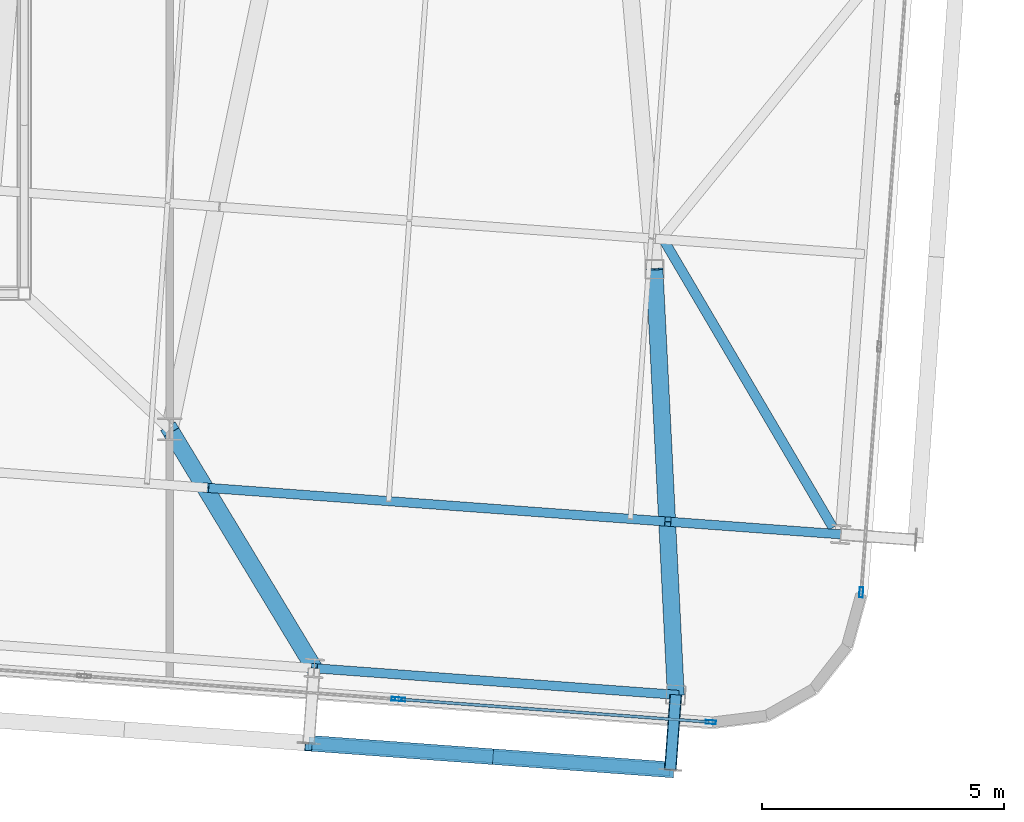
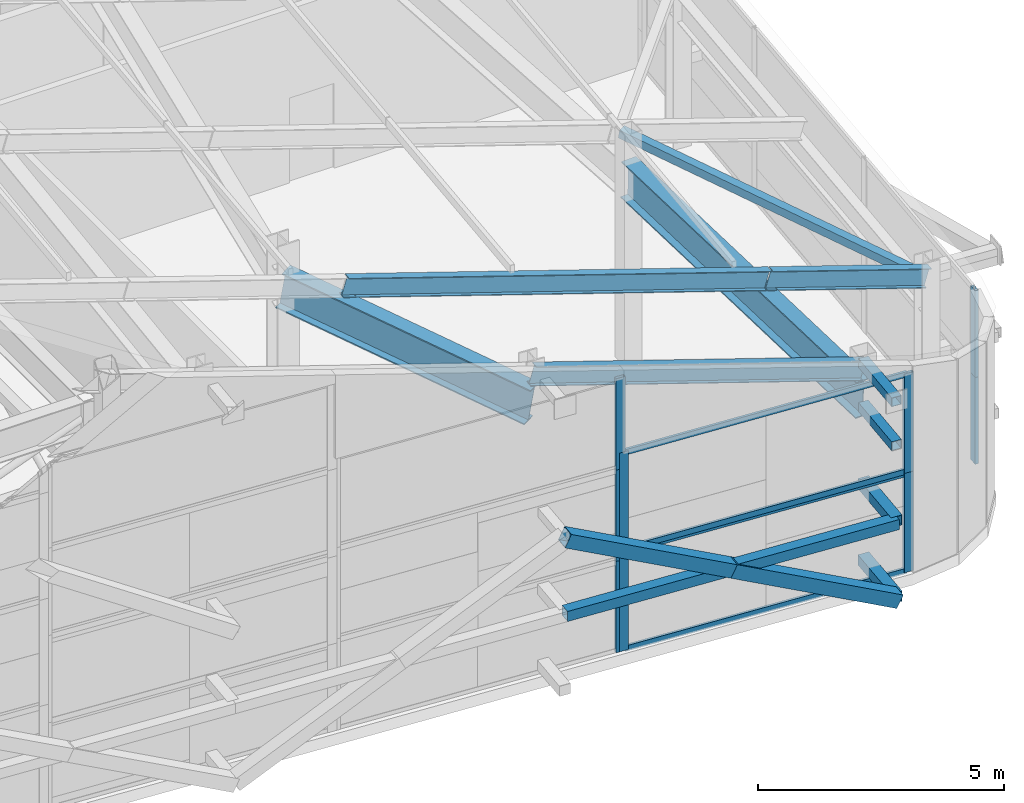
# One storey, part 20 of 56: 23 members, 3 beams, 7 elements without a shape of their own.
"""IFC4 building model written with IfcOpenShell, lengths in metres."""

from ifc_helpers import new_model, si_unit, direction, frame, origin, origin_2d, place, context, subcontext, project, spatial, hollow_rectangle, i_section, extrude, source, transform, mapped, material, layer, layer_set, material_profile, profile_set, type_object, element, aggregate, save


model = new_model("IFC4")

# Units and contexts
model_context = context("Model", 3, precision=1e-05, world=origin(), true_north=direction((0.0, 1.0)))
body_context = subcontext(model_context, "Body", "Model", "MODEL_VIEW")
ifc_project = project(units=[si_unit("LENGTHUNIT", "METRE"), si_unit("AREAUNIT", "SQUARE_METRE"), si_unit("VOLUMEUNIT", "CUBIC_METRE"), si_unit("PLANEANGLEUNIT", "RADIAN"), si_unit("MASSUNIT", "GRAM", prefix="KILO")], contexts=[model_context])

# Site, building, storey
site_placement = place(None, origin())
site = spatial("IfcSite", under=ifc_project, at=site_placement, CompositionType="ELEMENT")
building_placement = place(site_placement, origin())
building = spatial("IfcBuilding", under=site, at=building_placement, Name="Taldren Reach Tower", CompositionType="ELEMENT")
storey_placement = place(building_placement, frame((0.0, 0.0, 253.050048828125)))
storey = spatial("IfcBuildingStorey", under=building, at=storey_placement, Name="L77", CompositionType="ELEMENT", Elevation=253.050048828125)

# Members
ifc_material_1 = material(Name="Steel Gr 350 (C350L0)", Category="steel")
ifc_material_profile_1 = material_profile(ifc_material_1, hollow_rectangle(XDim=0.25, YDim=0.25, WallThickness=0.010009765625, at=origin_2d()), Name="250x250x10.0SHS")
ifc_profile_set_1 = profile_set([ifc_material_profile_1], Name="Steel Gr 350 (C350L0)")
member_type_1 = type_object("IfcMemberType", Name="MB-POST250", PredefinedType="POST", material=ifc_profile_set_1)
shared_shape_1 = source(origin(), body_context, "Body", "SweptSolid", [
    extrude(hollow_rectangle(XDim=0.25, YDim=0.25, WallThickness=0.010009765625, at=origin_2d()), origin(), (0.0, 0.0, 1.0), 1.550048828125),
])
for number, where, z_axis, x_axis, name in (
    (1, (52.440185546875, 3.72119140625, 0.219970703125), (-0.07323929162, -0.997314396849, 0.0), (0.997314396849, -0.07323929162, 0.0), "Exoskeleton base diaphragm tie strut B5-S6 L77"),
    (2, (52.440185546875, 3.72119140625, 2.10986328125), (-0.07323929162, -0.997314396849, 0.0), (0.997314396849, -0.07323929162, 0.0), "Exoskeleton mid-tier diaphragm tie B5-S6 L77"),
):
    element("IfcMember", number, at=place(storey_placement, frame(where, z_axis=z_axis, x_axis=x_axis)), inside=storey, type_object=member_type_1, Name=name, PredefinedType="POST", context=body_context, shape_type="MappedRepresentation", body=[
        mapped(shared_shape_1, transform((0.0, 0.0, 0.0), scale=1.0)),
    ])
ifc_material_2 = material(Name="Steel Gr 450 (C450L0)", Category="steel")
ifc_material_profile_2 = material_profile(ifc_material_2, hollow_rectangle(XDim=0.219970703125, YDim=0.219970703125, WallThickness=0.00830078125, at=origin_2d()), Name="220x220x8.2SHS")
ifc_profile_set_2 = profile_set([ifc_material_profile_2], Name="Steel Gr 450 (C450L0)")
member_type_2 = type_object("IfcMemberType", Name="MB-TIE219", PredefinedType="STRUT", material=ifc_profile_set_2)
shared_shape_2 = source(origin(), body_context, "Body", "SweptSolid", [
    extrude(hollow_rectangle(XDim=0.219970703125, YDim=0.219970703125, WallThickness=0.00830078125, at=origin_2d()), origin(), (0.0, 0.0, 1.0), 1.550048828125),
])
for number, where, z_axis, x_axis, name in (
    (3, (52.440185546875, 3.72119140625, 5.08935546875), (-0.07323929162, -0.997314396849, 0.0), (0.997314396849, -0.07323929162, 0.0), "Exoskeleton diaphragm tie strut B5-S6 L77"),
    (4, (52.440185546875, 3.72119140625, 4.0), (-0.07323929162, -0.997314396849, 0.0), (0.997314396849, -0.07323929162, 0.0), "Crown exoskeleton mid-tier tie strut B5-S6"),
):
    element("IfcMember", number, at=place(storey_placement, frame(where, z_axis=z_axis, x_axis=x_axis)), inside=storey, type_object=member_type_2, Name=name, PredefinedType="STRUT", context=body_context, shape_type="MappedRepresentation", body=[
        mapped(shared_shape_2, transform((0.0, 0.0, 0.0), scale=1.0)),
    ])
shared_shape_3 = source(origin(), body_context, "Body", "SweptSolid", [
    extrude(hollow_rectangle(XDim=0.25, YDim=0.25, WallThickness=0.010009765625, at=origin_2d()), origin(), (0.0, 0.0, 1.0), 7.47998046875),
])
member_1_placement = place(storey_placement, frame((44.86669921875, 2.72314453125, 2.10986328125), z_axis=(0.997314220642, -0.07324169103, 0.0), x_axis=(0.07324169103, 0.997314220642, 0.0)))
element("IfcMember", 5, at=member_1_placement, inside=storey, type_object=member_type_1, Name="Exoskeleton mid-height ring chord B5-S5 L77", PredefinedType="POST", context=body_context, shape_type="MappedRepresentation", body=[
    mapped(shared_shape_3, transform((0.0, 0.0, 0.0), scale=1.0)),
])

# Beams
ifc_material_3 = material(Name="Steel Gr 350 (350PLUS)", Category="steel")
ifc_material_profile_3 = material_profile(ifc_material_3, i_section(OverallWidth=0.35009765625, OverallDepth=0.916015625, WebThickness=0.013916015625, FlangeThickness=0.028076171875, at=origin_2d()), Name="900WB257")
ifc_profile_set_3 = profile_set([ifc_material_profile_3], Name="Steel Gr 350 (350PLUS)")
beam_type_1 = type_object("IfcBeamType", Name="BM-WB900", PredefinedType="BEAM", material=ifc_profile_set_3)
shared_shape_4 = source(origin(), body_context, "Body", "SweptSolid", [
    extrude(i_section(OverallWidth=0.35009765625, OverallDepth=0.916015625, WebThickness=0.013916015625, FlangeThickness=0.028076171875, at=origin_2d()), origin(), (0.0, 0.0, 1.0), 5.84033203125),
])
beam_1_placement = place(storey_placement, frame((44.980224609375, 4.26904296875, 6.33203125), z_axis=(-0.510289230613, 0.844295206905, 0.163616945082), x_axis=(-0.855828396922, -0.517259852514, 0.0)))
element("IfcBeam", 6, at=beam_1_placement, inside=storey, type_object=beam_type_1, Name="Crown transverse portal girder PF5-1", PredefinedType="BEAM", context=body_context, shape_type="MappedRepresentation", body=[
    mapped(shared_shape_4, transform((0.0, 0.0, 0.0), scale=1.0)),
])
shared_shape_5 = source(origin(), body_context, "Body", "SweptSolid", [
    extrude(i_section(OverallWidth=0.35009765625, OverallDepth=0.916015625, WebThickness=0.013916015625, FlangeThickness=0.028076171875, at=origin_2d()), origin(), (0.0, 0.0, 1.0), 8.79541015625),
])
beam_2_placement = place(storey_placement, frame((52.440185546875, 3.72119140625, 4.187744140625), z_axis=(-0.050047740768, 0.99812349558, 0.035280465067), x_axis=(-0.998745263836, -0.050078917367, 0.0)))
element("IfcBeam", 7, at=beam_2_placement, inside=storey, type_object=beam_type_1, Name="Crown transverse portal girder PF6-1", PredefinedType="BEAM", context=body_context, shape_type="MappedRepresentation", body=[
    mapped(shared_shape_5, transform((0.0, 0.0, 0.0), scale=1.0)),
])

# Members
ifc_material_profile_4 = material_profile(ifc_material_3, i_section(OverallWidth=0.19091796875, OverallDepth=0.4599609375, WebThickness=0.010009765625, FlangeThickness=0.01611328125, at=origin_2d()), Name="460UB82.1")
ifc_profile_set_4 = profile_set([ifc_material_profile_4], Name="Steel Gr 350 (350PLUS)")
member_type_3 = type_object("IfcMemberType", Name="MB-RAF460", PredefinedType="RAFTER", material=ifc_profile_set_4)
shared_shape_6 = source(origin(), body_context, "Body", "SweptSolid", [
    extrude(i_section(OverallWidth=0.19091796875, OverallDepth=0.4599609375, WebThickness=0.010009765625, FlangeThickness=0.01611328125, at=origin_2d()), origin(), (0.0, 0.0, 1.0), 3.71923828125),
])
member_2_placement = place(storey_placement, frame((55.841796875, 7.031005859375, 4.011962890625), z_axis=(-0.958703224999, 0.07036835722, 0.275565637696), x_axis=(-0.073202596473, -0.997317090934, 0.0)))
element("IfcMember", 8, at=member_2_placement, inside=storey, type_object=member_type_3, Name="Crown sloped rafter RF-1.1", PredefinedType="RAFTER", context=body_context, shape_type="MappedRepresentation", body=[
    mapped(shared_shape_6, transform((0.0, 0.0, 0.0), scale=1.0)),
])
shared_shape_7 = source(origin(), body_context, "Body", "SweptSolid", [
    extrude(i_section(OverallWidth=0.19091796875, OverallDepth=0.4599609375, WebThickness=0.010009765625, FlangeThickness=0.01611328125, at=origin_2d()), origin(), (0.0, 0.0, 1.0), 9.91162109375),
])
member_3_placement = place(storey_placement, frame((52.24609375, 7.294921875, 5.04541015625), z_axis=(-0.958696575914, 0.070397852418, 0.275581236128), x_axis=(-0.073233620319, -0.997314813314, 0.0)))
element("IfcMember", 9, at=member_3_placement, inside=storey, type_object=member_type_3, Name="Crown sloped rafter RF-1.2", PredefinedType="RAFTER", context=body_context, shape_type="MappedRepresentation", body=[
    mapped(shared_shape_7, transform((0.0, 0.0, 0.0), scale=1.0)),
])

# Beam
ifc_material_profile_5 = material_profile(ifc_material_3, i_section(OverallWidth=0.19091796875, OverallDepth=0.4599609375, WebThickness=0.010009765625, FlangeThickness=0.01611328125, at=origin_2d()), Name="460UB82.1")
ifc_profile_set_5 = profile_set([ifc_material_profile_5], Name="Steel Gr 350 (350PLUS)")
beam_type_2 = type_object("IfcBeamType", Name="BM-UB460A", PredefinedType="BEAM", material=ifc_profile_set_5)
shared_shape_8 = source(origin(), body_context, "Body", "SweptSolid", [
    extrude(i_section(OverallWidth=0.19091796875, OverallDepth=0.4599609375, WebThickness=0.010009765625, FlangeThickness=0.01611328125, at=origin_2d()), origin(), (0.0, 0.0, 1.0), 7.78125),
])
beam_3_placement = place(storey_placement, frame((44.980224609375, 4.26904296875, 7.059326171875), z_axis=(0.958699751976, -0.070405885699, -0.275568134625), x_axis=(0.07324169103, 0.997314220642, 0.0)))
element("IfcBeam", 10, at=beam_3_placement, inside=storey, type_object=beam_type_2, Name="Crown sloped perimeter rake girder S7", PredefinedType="BEAM", context=body_context, shape_type="MappedRepresentation", body=[
    mapped(shared_shape_8, transform((0.0, 0.0, 0.0), scale=1.0)),
])

# Members
ifc_material_profile_6 = material_profile(ifc_material_1, hollow_rectangle(XDim=0.199951171875, YDim=0.199951171875, WallThickness=0.009033203125, at=origin_2d()), Name="200x200x9.0SHS")
ifc_profile_set_6 = profile_set([ifc_material_profile_6], Name="Steel Gr 350 (C350L0)")
member_type_4 = type_object("IfcMemberType", Name="BR-ROOF-200", PredefinedType="BRACE", material=ifc_profile_set_6)
shared_shape_9 = source(origin(), body_context, "Body", "SweptSolid", [
    extrude(hollow_rectangle(XDim=0.199951171875, YDim=0.199951171875, WallThickness=0.009033203125, at=origin_2d()), origin(), (0.0, 0.0, 1.0), 6.96630859375),
])
member_4_placement = place(storey_placement, frame((55.672607421875, 7.18359375, 4.0634765625), z_axis=(-0.500416179463, 0.850696991405, 0.160929413551), x_axis=(-0.861931476706, -0.507024781902, 0.0)))
element("IfcMember", 11, at=member_4_placement, inside=storey, type_object=member_type_4, Name="Crown sloped roof wind brace RB-1", PredefinedType="BRACE", context=body_context, shape_type="MappedRepresentation", body=[
    mapped(shared_shape_9, transform((0.0, 0.0, 0.0), scale=1.0)),
])
ifc_material_profile_7 = material_profile(ifc_material_2, hollow_rectangle(XDim=0.324951171875, YDim=0.324951171875, WallThickness=0.0126953125, at=origin_2d()), Name="325x325x12.7SHS")
ifc_profile_set_7 = profile_set([ifc_material_profile_7], Name="Steel Gr 450 (C450L0)")
member_type_5 = type_object("IfcMemberType", Name="MB-BR324", PredefinedType="BRACE", material=ifc_profile_set_7)
shared_shape_10 = source(origin(), body_context, "Body", "SweptSolid", [
    extrude(hollow_rectangle(XDim=0.324951171875, YDim=0.324951171875, WallThickness=0.0126953125, at=origin_2d()), origin(), (0.0, 0.0, 1.0), 4.1904296875),
])
for number, where, z_axis, x_axis, name in (
    (12, (52.32666015625, 2.17529296875, 0.219970703125), (-0.890124363023, 0.065369782387, 0.451004889001), (-0.07324169103, -0.997314220642, 0.0), "Exoskeleton Diagrid Brace B5-S5 L77"),
    (13, (48.5966796875, 2.44921875, 2.10986328125), (-0.890100973194, 0.065368064663, 0.451051298237), (-0.07324169103, -0.997314220642, 0.0), "Exoskeleton Diagrid Brace B5-S5 L77"),
):
    element("IfcMember", number, at=place(storey_placement, frame(where, z_axis=z_axis, x_axis=x_axis)), inside=storey, type_object=member_type_5, Name=name, PredefinedType="BRACE", context=body_context, shape_type="MappedRepresentation", body=[
        mapped(shared_shape_10, transform((0.0, 0.0, 0.0), scale=1.0)),
    ])

# Curtain wall, member
ifc_material_4 = material(Name="Aluminium and Low-E Glass Unitised System", Category="aluminium")
ifc_layer = layer(ifc_material_4, 0.159912109375)
ifc_layer_set = layer_set([ifc_layer], Name="Aluminium and Low-E Glass Unitised System")
curtain_wall_type = type_object("IfcCurtainWallType", Name="CW-SYS-8", PredefinedType="NOTDEFINED", material=ifc_layer_set)
curtain_wall_1_placement = place(storey_placement, origin())
curtain_wall_1 = element("IfcCurtainWall", 14, at=curtain_wall_1_placement, inside=storey, type_object=curtain_wall_type, Name="Unitised curtain wall CW8-L77-E", PredefinedType="NOTDEFINED")
ifc_material_5 = material(Name="Anodised Aluminium 6063-T6", Category="aluminium")
ifc_material_profile_8 = material_profile(ifc_material_5, hollow_rectangle(XDim=0.074951171875, YDim=0.2099609375, WallThickness=0.00439453125, at=origin_2d()), Name="ALU-210x75x4.5RHS")
ifc_profile_set_8 = profile_set([ifc_material_profile_8], Name="Anodised Aluminium 6063-T6")
member_type_6 = type_object("IfcMemberType", Name="CW-MUL-200", PredefinedType="MULLION", material=ifc_profile_set_8)
shared_shape_11 = source(origin(), body_context, "Body", "SweptSolid", [
    extrude(hollow_rectangle(XDim=0.074951171875, YDim=0.2099609375, WallThickness=0.00439453125, at=origin_2d()), origin(), (0.0, 0.0, 1.0), 2.152587890625),
])
member_5_placement = place(storey_placement, frame((56.26513671875, 5.834228515625, 0.0), z_axis=(0.0, 0.0, 1.0), x_axis=(-0.997314470951, 0.073238282558, 0.0)))
member_5 = element("IfcMember", 15, at=member_5_placement, type_object=member_type_6, Name="CW-8 mullion 1", PredefinedType="MULLION", context=body_context, shape_type="MappedRepresentation", body=[
    mapped(shared_shape_11, transform((0.0, 0.0, 0.0), scale=1.0)),
])
aggregate(curtain_wall_1, [member_5])

curtain_wall_2_placement = place(storey_placement, origin())
curtain_wall_2 = element("IfcCurtainWall", 16, at=curtain_wall_2_placement, inside=storey, type_object=curtain_wall_type, Name="Unitised curtain wall CW8-L77-E-T2", PredefinedType="NOTDEFINED")
shared_shape_12 = source(origin(), body_context, "Body", "SweptSolid", [
    extrude(hollow_rectangle(XDim=0.074951171875, YDim=0.2099609375, WallThickness=0.00439453125, at=origin_2d()), origin(), (0.0, 0.0, 1.0), 2.15234375),
])
member_6_placement = place(storey_placement, frame((56.26513671875, 5.834228515625, 2.152587890625), z_axis=(0.0, 0.0, 1.0), x_axis=(-0.997314470951, 0.073238282558, 0.0)))
member_6 = element("IfcMember", 17, at=member_6_placement, type_object=member_type_6, Name="CW-8 mullion 1", PredefinedType="MULLION", context=body_context, shape_type="MappedRepresentation", body=[
    mapped(shared_shape_12, transform((0.0, 0.0, 0.0), scale=1.0)),
])
aggregate(curtain_wall_2, [member_6])

# Curtain wall, members
curtain_wall_3_placement = place(storey_placement, origin())
curtain_wall_3 = element("IfcCurtainWall", 18, at=curtain_wall_3_placement, inside=storey, type_object=curtain_wall_type, Name="Unitised curtain wall CW8-L77-S6", PredefinedType="NOTDEFINED")
ifc_material_profile_9 = material_profile(ifc_material_5, hollow_rectangle(XDim=0.06005859375, YDim=0.135009765625, WallThickness=0.00341796875, at=origin_2d()), Name="ALU-135x60x3.5RHS")
ifc_profile_set_9 = profile_set([ifc_material_profile_9], Name="Anodised Aluminium 6063-T6")
member_type_7 = type_object("IfcMemberType", Name="CW-TRN-150", PredefinedType="USERDEFINED", material=ifc_profile_set_9)
shared_shape_13 = source(origin(), body_context, "Body", "SweptSolid", [
    extrude(hollow_rectangle(XDim=0.06005859375, YDim=0.135009765625, WallThickness=0.00341796875, at=origin_2d()), origin(), (0.0, 0.0, 1.0), 6.35009765625),
])
member_7_placement = place(storey_placement, frame((46.79296875, 3.62451171875, 0.030029296875), z_axis=(0.997314237186, -0.073241465761, 0.0), x_axis=(0.073241465761, 0.997314237186, 0.0)))
member_7 = element("IfcMember", 19, at=member_7_placement, type_object=member_type_7, Name="CW-8 transom 1.1", ObjectType="TRANSOM", PredefinedType="USERDEFINED", context=body_context, shape_type="MappedRepresentation", body=[
    mapped(shared_shape_13, transform((0.0, 0.0, 0.0), scale=1.0)),
])
member_8_placement = place(storey_placement, frame((46.79296875, 3.62451171875, 2.432373046875), z_axis=(0.997314237186, -0.073241465761, 0.0), x_axis=(0.073241465761, 0.997314237186, 0.0)))
member_8 = element("IfcMember", 20, at=member_8_placement, type_object=member_type_7, Name="CW-8 transom 1.2", ObjectType="TRANSOM", PredefinedType="USERDEFINED", context=body_context, shape_type="MappedRepresentation", body=[
    mapped(shared_shape_13, transform((0.0, 0.0, 0.0), scale=1.0)),
])

curtain_wall_4_placement = place(storey_placement, origin())
curtain_wall_4 = element("IfcCurtainWall", 21, at=curtain_wall_4_placement, inside=storey, type_object=curtain_wall_type, Name="Unitised curtain wall CW8-L77-S6-T2", PredefinedType="NOTDEFINED")
member_9_placement = place(storey_placement, frame((46.79296875, 3.62451171875, 2.492431640625), z_axis=(0.997314237186, -0.073241465761, 0.0), x_axis=(0.073241465761, 0.997314237186, 0.0)))
member_9 = element("IfcMember", 22, at=member_9_placement, type_object=member_type_7, Name="CW-8 transom 1.1", ObjectType="TRANSOM", PredefinedType="USERDEFINED", context=body_context, shape_type="MappedRepresentation", body=[
    mapped(shared_shape_13, transform((0.0, 0.0, 0.0), scale=1.0)),
])
member_10_placement = place(storey_placement, frame((46.79296875, 3.62451171875, 4.894775390625), z_axis=(0.997314237186, -0.073241465761, 0.0), x_axis=(0.073241465761, 0.997314237186, 0.0)))
member_10 = element("IfcMember", 23, at=member_10_placement, type_object=member_type_7, Name="CW-8 transom 1.2", ObjectType="TRANSOM", PredefinedType="USERDEFINED", context=body_context, shape_type="MappedRepresentation", body=[
    mapped(shared_shape_13, transform((0.0, 0.0, 0.0), scale=1.0)),
])

# Curtain wall, member
curtain_wall_5_placement = place(storey_placement, origin())
curtain_wall_5 = element("IfcCurtainWall", 24, at=curtain_wall_5_placement, inside=storey, type_object=curtain_wall_type, Name="Unitised curtain wall CW8-L77-S5", PredefinedType="NOTDEFINED")
shared_shape_14 = source(origin(), body_context, "Body", "SweptSolid", [
    extrude(hollow_rectangle(XDim=0.074951171875, YDim=0.2099609375, WallThickness=0.00439453125, at=origin_2d()), origin(), (0.0, 0.0, 1.0), 2.2626953125),
])
member_11_placement = place(storey_placement, frame((46.6806640625, 3.6328125, 0.0), z_axis=(0.0, 0.0, 1.0), x_axis=(0.073238393838, 0.997314462779, 0.0)))
member_11 = element("IfcMember", 25, at=member_11_placement, type_object=member_type_6, Name="CW-8 mullion 2", PredefinedType="MULLION", context=body_context, shape_type="MappedRepresentation", body=[
    mapped(shared_shape_14, transform((0.0, 0.0, 0.0), scale=1.0)),
])
aggregate(curtain_wall_5, [member_11])

curtain_wall_6_placement = place(storey_placement, origin())
curtain_wall_6 = element("IfcCurtainWall", 26, at=curtain_wall_6_placement, inside=storey, type_object=curtain_wall_type, Name="Unitised curtain wall CW8-L77-S5-T2", PredefinedType="NOTDEFINED")
member_12_placement = place(storey_placement, frame((46.6806640625, 3.6328125, 2.2626953125), z_axis=(0.0, 0.0, 1.0), x_axis=(0.073238393838, 0.997314462779, 0.0)))
member_12 = element("IfcMember", 27, at=member_12_placement, type_object=member_type_6, Name="CW-8 mullion 2", PredefinedType="MULLION", context=body_context, shape_type="MappedRepresentation", body=[
    mapped(shared_shape_14, transform((0.0, 0.0, 0.0), scale=1.0)),
])
aggregate(curtain_wall_6, [member_12])

curtain_wall_7_placement = place(storey_placement, origin())
curtain_wall_7 = element("IfcCurtainWall", 28, at=curtain_wall_7_placement, inside=storey, type_object=curtain_wall_type, Name="Unitised curtain wall CW8-L77-S5-T3", PredefinedType="NOTDEFINED")
shared_shape_15 = source(origin(), body_context, "Body", "SweptSolid", [
    extrude(hollow_rectangle(XDim=0.074951171875, YDim=0.2099609375, WallThickness=0.00439453125, at=origin_2d()), origin(), (0.0, 0.0, 1.0), 2.262939453125),
])
member_13_placement = place(storey_placement, frame((46.6806640625, 3.6328125, 4.525390625), z_axis=(0.0, 0.0, 1.0), x_axis=(0.073238393838, 0.997314462779, 0.0)))
member_13 = element("IfcMember", 29, at=member_13_placement, type_object=member_type_6, Name="CW-8 mullion 2", PredefinedType="MULLION", context=body_context, shape_type="MappedRepresentation", body=[
    mapped(shared_shape_15, transform((0.0, 0.0, 0.0), scale=1.0)),
])
aggregate(curtain_wall_7, [member_13])

# Member
shared_shape_16 = source(origin(), body_context, "Body", "SweptSolid", [
    extrude(hollow_rectangle(XDim=0.074951171875, YDim=0.2099609375, WallThickness=0.00439453125, at=origin_2d()), origin(), (0.0, 0.0, 1.0), 2.46240234375),
])
member_14_placement = place(storey_placement, frame((46.755615234375, 3.627197265625, 0.0), z_axis=(0.0, 0.0, 1.0), x_axis=(0.073238506213, 0.997314454527, 0.0)))
member_14 = element("IfcMember", 30, at=member_14_placement, type_object=member_type_6, Name="CW-8 mullion 1", PredefinedType="MULLION", context=body_context, shape_type="MappedRepresentation", body=[
    mapped(shared_shape_16, transform((0.0, 0.0, 0.0), scale=1.0)),
])

member_15_placement = place(storey_placement, frame((53.163330078125, 3.15673828125, 0.0), z_axis=(0.0, 0.0, 1.0), x_axis=(0.073238506213, 0.997314454527, 0.0)))
member_15 = element("IfcMember", 31, at=member_15_placement, type_object=member_type_6, Name="CW-8 mullion 2", PredefinedType="MULLION", context=body_context, shape_type="MappedRepresentation", body=[
    mapped(shared_shape_16, transform((0.0, 0.0, 0.0), scale=1.0)),
])

aggregate(curtain_wall_3, [member_14, member_15, member_7, member_8])

member_16_placement = place(storey_placement, frame((46.755615234375, 3.627197265625, 2.46240234375), z_axis=(0.0, 0.0, 1.0), x_axis=(0.073238506213, 0.997314454527, 0.0)))
member_16 = element("IfcMember", 32, at=member_16_placement, type_object=member_type_6, Name="CW-8 mullion 1", PredefinedType="MULLION", context=body_context, shape_type="MappedRepresentation", body=[
    mapped(shared_shape_16, transform((0.0, 0.0, 0.0), scale=1.0)),
])

member_17_placement = place(storey_placement, frame((53.163330078125, 3.15673828125, 2.46240234375), z_axis=(0.0, 0.0, 1.0), x_axis=(0.073238506213, 0.997314454527, 0.0)))
member_17 = element("IfcMember", 33, at=member_17_placement, type_object=member_type_6, Name="CW-8 mullion 2", PredefinedType="MULLION", context=body_context, shape_type="MappedRepresentation", body=[
    mapped(shared_shape_16, transform((0.0, 0.0, 0.0), scale=1.0)),
])

aggregate(curtain_wall_4, [member_16, member_17, member_9, member_10])

save(model, "model.ifc")
